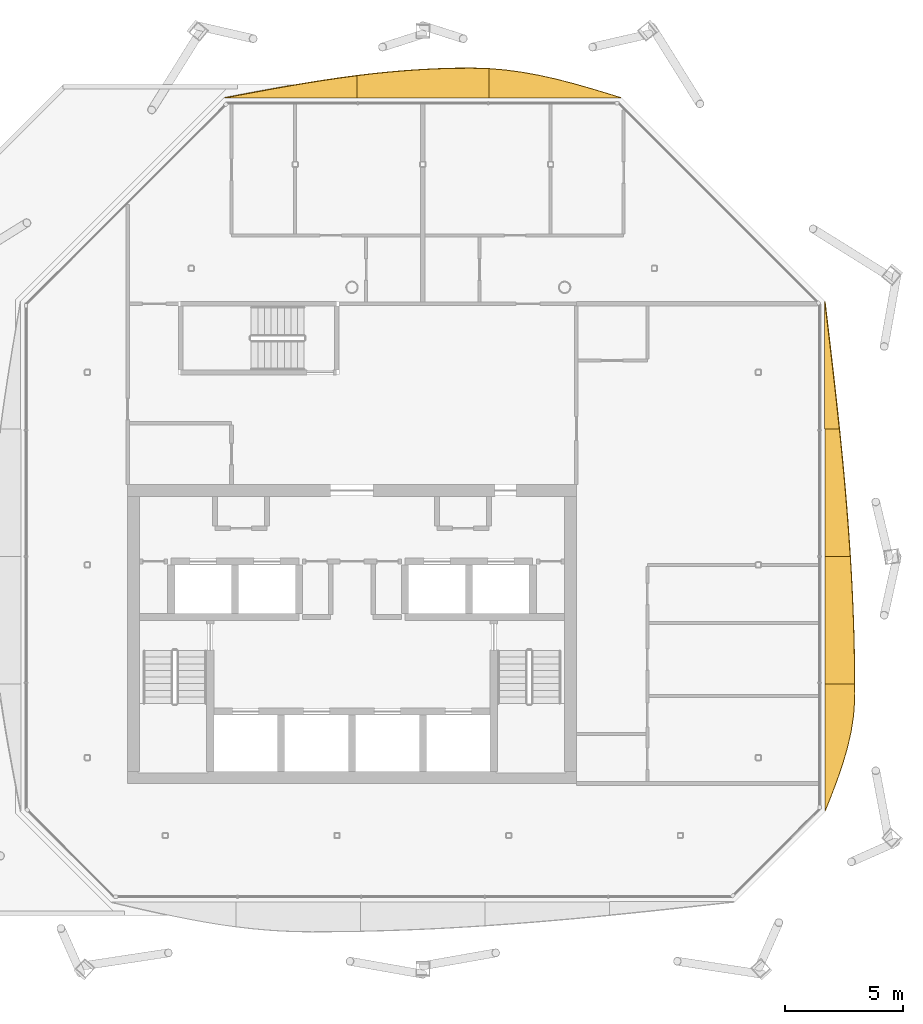
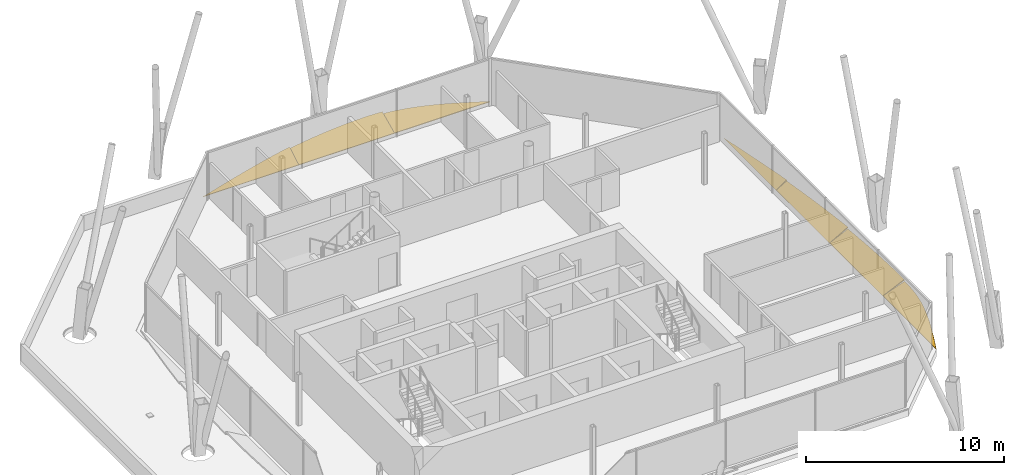
# One storey, part 16 of 17: 7 shading devices.
"""IFC4 building model written with IfcOpenShell, lengths in metres."""

from ifc_helpers import new_model, si_unit, direction, frame, origin, place, context, subcontext, project, spatial, polyline, outline, extrude, material, layer, layer_set, type_object, element, save


model = new_model("IFC4")

# Units and contexts
model_context = context("Model", 3, precision=1e-05, world=origin(), true_north=direction((0.0, 1.0)))
body_context = subcontext(model_context, "Body", "Model", "MODEL_VIEW")
ifc_project = project(units=[si_unit("LENGTHUNIT", "METRE"), si_unit("AREAUNIT", "SQUARE_METRE"), si_unit("VOLUMEUNIT", "CUBIC_METRE"), si_unit("PLANEANGLEUNIT", "RADIAN"), si_unit("MASSUNIT", "GRAM", prefix="KILO")], contexts=[model_context])

# Site, building, storey
site_placement = place(None, origin())
site = spatial("IfcSite", under=ifc_project, at=site_placement, CompositionType="ELEMENT")
building_placement = place(site_placement, origin())
building = spatial("IfcBuilding", under=site, at=building_placement, Name="Tskaro Facet Tower", CompositionType="ELEMENT")
storey_placement = place(building_placement, frame((0.0, 0.0, 259.5)))
storey = spatial("IfcBuildingStorey", under=building, at=storey_placement, Name="L68", CompositionType="ELEMENT", Elevation=259.5)

# Shading devices
ifc_material = material(Name="Bronze anodised aluminium 6063-T6", Category="aluminium")
ifc_layer = layer(ifc_material, 0.06005859375, Name="Bronze anodised aluminium 6063-T6")
ifc_layer_set = layer_set([ifc_layer], Name="Bronze anodised aluminium 6063-T6")
shading_device_type = type_object("IfcShadingDeviceType", Name="Bronze sun blade (FN1)", PredefinedType="USERDEFINED", material=ifc_layer_set)
shading_device_1_placement = place(storey_placement, frame((20.0224609375, -13.174072265625, 0.056396484375), z_axis=(-0.342009518246, -6.964558e-06, 0.939696487905), x_axis=(-2.381945e-06, 0.999999999976, 6.544571e-06)))
element("IfcShadingDevice", 1, at=shading_device_1_placement, inside=storey, type_object=shading_device_type, Name="Fin blade east 1", ObjectType="FIN", PredefinedType="USERDEFINED", context=body_context, shape_type="SweptSolid", body=[
    extrude(outline(polyline([(0.0, 0.0), (5.391357421744246, 0.0), (5.391357422010982, -1.3362062635702356), (4.959960936918122, -1.33720743433927), (4.717529297032967, -1.3333486709334628), (4.043457031091152, -1.2813696688782665), (3.369628906615514, -1.1712376433185832), (2.6958007815187686, -1.0078125284292536), (2.021728515305788, -0.7988953494394347), (1.3479003896443662, -0.5536012188527327), (0.6740722660662638, -0.28321458754590784), (0.0, 0.0)])), origin(), (0.0, 0.0, -1.0), 0.06005859375),
])
shading_device_2_placement = place(storey_placement, frame((20.017578125, -7.78271484375, 0.054443359375), z_axis=(-0.42256187269, 1.960021e-06, 0.906334079545), x_axis=(8.2823e-07, 0.999999999998, -1.776434e-06)))
element("IfcShadingDevice", 2, at=shading_device_2_placement, inside=storey, type_object=shading_device_type, Name="Fin blade east 2", ObjectType="FIN", PredefinedType="USERDEFINED", context=body_context, shape_type="SweptSolid", body=[
    extrude(outline(polyline([(0.0, 0.0), (5.391113281239645, 0.0), (5.391113281193315, -1.181474683238572), (4.717285156192788, -1.2253826806239816), (4.043457031253672, -1.2641580109279444), (3.3693847657509637, -1.2978006741504597), (2.69555664073246, -1.3260893973228889), (2.0217285157753655, -1.3492454534138705), (1.347656249850271, -1.3668262964861266), (0.6738281248430804, -1.3789500349885961), (-7.341058786554356e-11, -1.3853953959526397), (0.0, 0.0)])), origin(), (0.0, 0.0, -1.0), 0.06005859375),
])
shading_device_3_placement = place(storey_placement, frame((20.012939453125, -2.3916015625, 0.052001953125), z_axis=(-0.499940890291, 1.3361771e-05, 0.866059527998), x_axis=(6.680096e-06, 0.999999999911, -1.1572089e-05)))
element("IfcShadingDevice", 3, at=shading_device_3_placement, inside=storey, type_object=shading_device_type, Name="Fin blade east 3", ObjectType="FIN", PredefinedType="USERDEFINED", context=body_context, shape_type="SweptSolid", body=[
    extrude(outline(polyline([(0.0, 0.0), (5.391357421393722, 0.0), (5.3913574232373, -0.7083305383399614), (4.717529296065119, -0.7876403753794958), (4.043457032929987, -0.8636479219084062), (3.36962890616966, -0.9361744090606087), (2.695800780809593, -1.004975725073244), (2.021728515788261, -1.0695069334359395), (1.3479003895304027, -1.1298900900301247), (0.6740722637997083, -1.1854582024639972), (-3.979174352538006e-10, -1.236422711052029), (0.0, 0.0)])), origin(), (0.0, 0.0, -1.0), 0.06005859375),
])
shading_device_4_placement = place(storey_placement, frame((20.008544921875, 2.999755859375, 0.049072265625), z_axis=(-0.573711195173, -8.840637e-06, 0.819057668577), x_axis=(-5.071972e-06, 0.999999999961, 7.240992e-06)))
element("IfcShadingDevice", 4, at=shading_device_4_placement, inside=storey, type_object=shading_device_type, Name="Fin blade east 4", ObjectType="FIN", PredefinedType="USERDEFINED", context=body_context, shape_type="SweptSolid", body=[
    extrude(outline(polyline([(0.0, 0.0), (5.391357421664314, 0.0), (4.71728515651026, -0.09780383061492799), (4.04345703145165, -0.19526762976896622), (3.3696289060426787, -0.29151136928920984), (2.6955566401878994, -0.38687508063654863), (2.021728515846022, -0.4808187670989674), (1.347900389565146, -0.5725222995449223), (0.6738281254941945, -0.6620658451428167), (-4.2031180194211743e-10, -0.7490292052633577), (0.0, 0.0)])), origin(), (0.0, 0.0, -1.0), 0.06005859375),
])
shading_device_5_placement = place(storey_placement, frame((11.39111328125, 17.0224609375, 0.056396484375), z_axis=(-1.4312998e-05, -0.342021766384, 0.93969202993), x_axis=(-0.999999999898, 4.895357e-06, -1.344981e-05)))
element("IfcShadingDevice", 5, at=shading_device_5_placement, inside=storey, type_object=shading_device_type, Name="Fin blade north 1", ObjectType="FIN", PredefinedType="USERDEFINED", context=body_context, shape_type="SweptSolid", body=[
    extrude(outline(polyline([(0.0, 0.0), (5.5939941400520015, 4.738297343856881e-21), (5.593994141442735, -1.3122608521344692), (4.894775388857184, -1.2489349803641134), (4.195556640592742, -1.1486063200478611), (3.4963378900942494, -1.0142994666273153), (2.797119140065968, -0.8501025991338533), (2.0979003923188273, -0.6606462320057065), (1.3986816391146413, -0.45158313631092867), (0.6994628906304267, -0.2291497454843784), (0.0, 0.0)])), origin(), (0.0, 0.0, -1.0), 0.06005859375),
])
shading_device_6_placement = place(storey_placement, frame((5.797119140625, 17.017578125, 0.054443359375), z_axis=(7.315049e-06, -0.422555252063, 0.906337166236), x_axis=(-0.999999999973, -3.091012e-06, 6.629901e-06)))
element("IfcShadingDevice", 6, at=shading_device_6_placement, inside=storey, type_object=shading_device_type, Name="Fin blade north 2", ObjectType="FIN", PredefinedType="USERDEFINED", context=body_context, shape_type="SweptSolid", body=[
    extrude(outline(polyline([(0.0, 0.0), (5.594238281100327, -2.3692520695050095e-21), (5.594238281057941, -1.0365355317358977), (4.894775390371364, -1.127847062299843), (4.195556640168122, -1.2064891440454633), (3.496337890468517, -1.2716947929027251), (2.797119141163206, -1.3229182985238277), (2.097900391278856, -1.359289513935399), (1.3986816399514823, -1.3804840025118699), (0.7832031255457413, -1.3864868163376853), (0.6994628903089954, -1.3861623797121154), (-5.806086940079795e-10, -1.360823482075465), (0.0, 0.0)])), origin(), (0.0, 0.0, -1.0), 0.06005859375),
])
shading_device_7_placement = place(storey_placement, frame((0.202880859375, 17.012939453125, 0.052001953125), z_axis=(8.602629e-06, -0.499933208445, 0.86606396243), x_axis=(-0.999999999963, -4.30074e-06, 7.450427e-06)))
element("IfcShadingDevice", 7, at=shading_device_7_placement, inside=storey, type_object=shading_device_type, Name="Fin blade north 3", ObjectType="FIN", PredefinedType="USERDEFINED", context=body_context, shape_type="SweptSolid", body=[
    extrude(outline(polyline([(0.0, 0.0), (5.593994140418008, 2.3691486719284404e-21), (4.894531249008797, -0.15301558248680286), (4.195312500117621, -0.3041849131760901), (3.496093749274652, -0.4518405150525715), (2.796875000960852, -0.5945916857277621), (2.0976562495124367, -0.7306488941803992), (1.398437501229317, -0.8587434920279704), (0.699218749397724, -0.9772973896462983), (-4.513976299384221e-10, -1.0847084432498124), (0.0, 0.0)])), origin(), (0.0, 0.0, -1.0), 0.06005859375),
])

save(model, "model.ifc")
